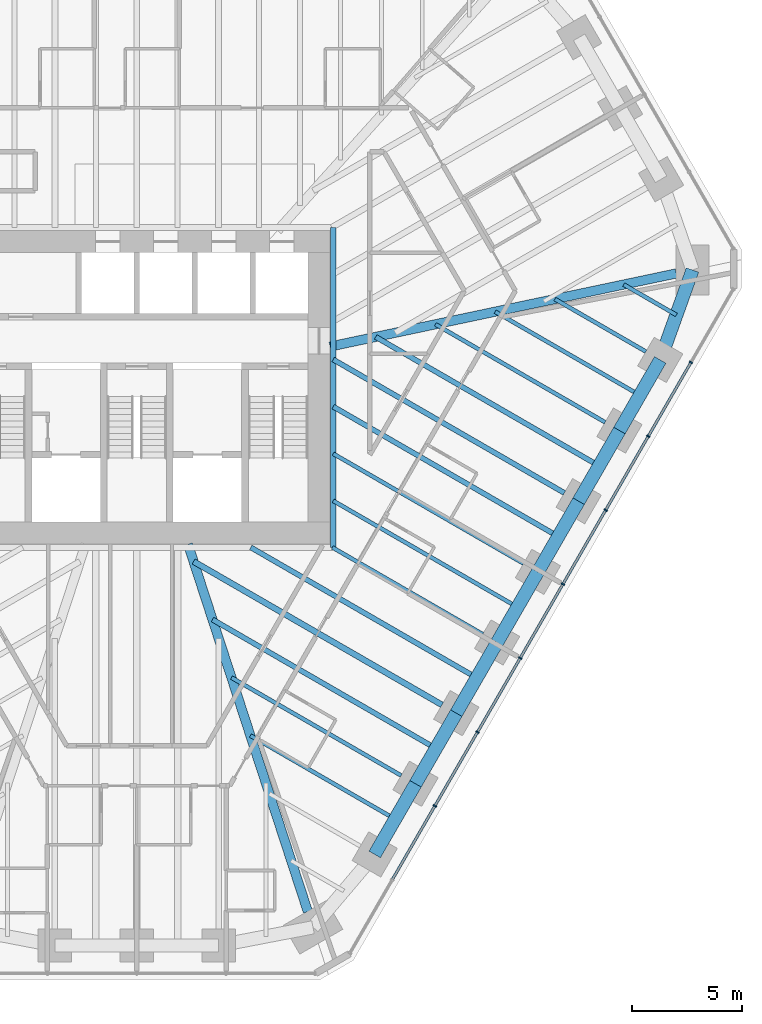
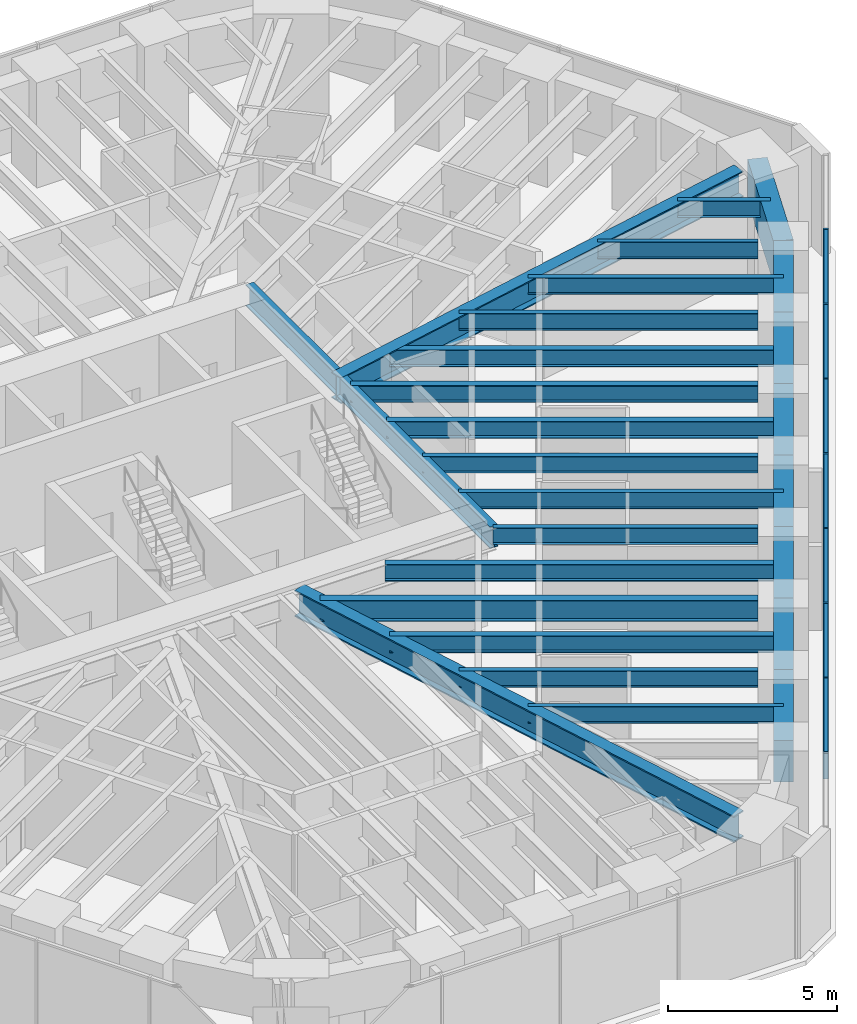
# One storey, part 5 of 16: 26 beams, 14 members, 1 element without a shape of its own.
"""IFC4 building model written with IfcOpenShell, lengths in metres."""

import ifcopenshell
import ifcopenshell.guid

model = None  # the IFC model being written
_history = None  # IfcOwnerHistory: only IFC2X3 demands one
_inside = {}  # id of a spatial element -> (the spatial element, [elements in it])
_under = {}  # id of a project, library or spatial element -> (it, [spatial elements below it])
_declared = {}  # id of a project -> (the project, [libraries it declares])
_typed = {}  # id of a type object -> (the type object, [elements of that type])
_made_of = {}  # id of a material, layer set ... -> (it, [elements and type objects made of it])


def new_model(schema):
    """Start an empty IFC model of exactly this schema.

    Asked for "IFC4X3", IfcOpenShell would pick the latest addendum, in which some entities
    have other attributes; the version numbers below select the first issue.
    IFC2X3 requires an IfcOwnerHistory on every rooted entity: one is made here for all.
    """
    global model, _history
    if schema == "IFC4X3":
        model = ifcopenshell.file(schema_version=(4, 3, 0, 0))
    else:
        model = ifcopenshell.file(schema=schema)
    _inside.clear()
    _under.clear()
    _declared.clear()
    _typed.clear()
    _made_of.clear()
    _history = None
    if model.schema == "IFC2X3":
        org = make("IfcOrganization", Name="unknown")
        user = make(
            "IfcPersonAndOrganization",
            ThePerson=make("IfcPerson", FamilyName="unknown"),
            TheOrganization=org,
        )
        app = make(
            "IfcApplication",
            ApplicationDeveloper=org,
            Version="unknown",
            ApplicationFullName="unknown",
            ApplicationIdentifier="unknown",
        )
        _history = make(
            "IfcOwnerHistory",
            OwningUser=user,
            OwningApplication=app,
            ChangeAction="ADDED",
            CreationDate=0,
        )
    return model


def make(cls, **values):
    """One entity of the class cls with the attributes given. An attribute that is None is left unset."""
    return model.create_entity(
        cls, **{name: value for name, value in values.items() if value is not None}
    )


def rooted(cls, **values):
    """An entity with a GlobalId (a new one), such as an element, a storey or a relation."""
    return make(cls, GlobalId=ifcopenshell.guid.new(), OwnerHistory=_history, **values)


def si_unit(unit_type, name, prefix=None):
    """IfcSIUnit, for example si_unit("LENGTHUNIT", "METRE", prefix="MILLI")."""
    return make("IfcSIUnit", UnitType=unit_type, Prefix=prefix, Name=name)


def assignment(units):
    """IfcUnitAssignment: the units of a project."""
    return None if units is None else make("IfcUnitAssignment", Units=units)


def point(xyz):
    """IfcCartesianPoint."""
    return None if xyz is None else make("IfcCartesianPoint", Coordinates=xyz)


def direction(xyz):
    """IfcDirection."""
    return None if xyz is None else make("IfcDirection", DirectionRatios=xyz)


def frame(location, z_axis=None, x_axis=None):
    """IfcAxis2Placement3D, a coordinate frame: its origin and axes. An axis left out is left unset."""
    return make(
        "IfcAxis2Placement3D",
        Location=point(location),
        Axis=direction(z_axis),
        RefDirection=direction(x_axis),
    )


def frame_2d(location, x_axis=None):
    """IfcAxis2Placement2D, a coordinate frame in the plane: its origin and x axis."""
    return make(
        "IfcAxis2Placement2D", Location=point(location), RefDirection=direction(x_axis)
    )


def origin():
    """The frame at (0, 0, 0) with its axes left unset."""
    return frame((0.0, 0.0, 0.0))


def origin_2d():
    """The frame at (0, 0) in the plane with its x axis left unset."""
    return frame_2d((0.0, 0.0))


def place(relative_to, where):
    """IfcLocalPlacement: puts the frame where relative to a parent placement (None: the world)."""
    return make(
        "IfcLocalPlacement", PlacementRelTo=relative_to, RelativePlacement=where
    )


def context(
    kind, dimensions, precision=None, world=None, true_north=None, identifier=None
):
    """IfcGeometricRepresentationContext, for example the 3D "Model" context."""
    return make(
        "IfcGeometricRepresentationContext",
        ContextIdentifier=identifier,
        ContextType=kind,
        CoordinateSpaceDimension=dimensions,
        Precision=precision,
        WorldCoordinateSystem=world,
        TrueNorth=true_north,
    )


def subcontext(parent, identifier, kind, view, scale=None):
    """IfcGeometricRepresentationSubContext, for example "Body" below "Model"."""
    return make(
        "IfcGeometricRepresentationSubContext",
        ContextIdentifier=identifier,
        ContextType=kind,
        ParentContext=parent,
        TargetScale=scale,
        TargetView=view,
    )


def project(units=None, contexts=None):
    """IfcProject with its units and contexts."""
    return rooted(
        "IfcProject",
        Name="project",
        RepresentationContexts=contexts,
        UnitsInContext=assignment(units),
    )


def spatial(cls, under=None, at=None, **own):
    """A site, building, storey or space (cls), placed at a placement, below another one or the project."""
    s = rooted(cls, ObjectPlacement=at, **own)
    if under is not None:
        _under.setdefault(under.id(), (under, []))[1].append(s)
    return s


def profile(cls, at=None, kind="AREA", **sizes):
    """A parametric profile (cls). Its sizes go by their IFC names, for example OverallWidth=200.0."""
    return make(cls, ProfileType=kind, Position=at, **sizes)


def rectangle(**sizes):
    """IfcRectangleProfileDef."""
    return profile("IfcRectangleProfileDef", **sizes)


def i_section(**sizes):
    """IfcIShapeProfileDef."""
    return profile("IfcIShapeProfileDef", **sizes)


def extrude(swept, where, along, depth):
    """IfcExtrudedAreaSolid: the profile swept, set in the frame where, extruded along a direction by depth."""
    return make(
        "IfcExtrudedAreaSolid",
        SweptArea=swept,
        Position=where,
        ExtrudedDirection=direction(along),
        Depth=depth,
    )


def shape(context_of_items, identifier, shape_type, items):
    """IfcShapeRepresentation: the items that make up one representation, for example the "Body"."""
    return make(
        "IfcShapeRepresentation",
        ContextOfItems=context_of_items,
        RepresentationIdentifier=identifier,
        RepresentationType=shape_type,
        Items=items,
    )


def material(Name=None, Category=None):
    """IfcMaterial."""
    return make("IfcMaterial", Name=Name, Category=Category)


def material_profile(
    of_material, cross_section, Name=None, Category=None, Priority=None
):
    """IfcMaterialProfile: a cross section and its material."""
    return make(
        "IfcMaterialProfile",
        Name=Name,
        Material=of_material,
        Profile=cross_section,
        Priority=Priority,
        Category=Category,
    )


def profile_set(profiles, Name=None, composite=None):
    """IfcMaterialProfileSet."""
    return make(
        "IfcMaterialProfileSet",
        Name=Name,
        MaterialProfiles=profiles,
        CompositeProfile=composite,
    )


def made_of(thing, what):
    """Note that an element or type object is made of a material, layer set ...; save() writes the relation."""
    if what is not None:
        _made_of.setdefault(what.id(), (what, []))[1].append(thing)
    return thing


def type_object(cls, material=None, **own):
    """A type object (cls), such as IfcWallType, which elements share."""
    return made_of(rooted(cls, **own), material)


def element(
    cls,
    number,
    at=None,
    inside=None,
    cuts=None,
    type_object=None,
    material=None,
    context=None,
    identifier="Body",
    shape_type=None,
    held_by="IfcProductDefinitionShape",
    body=None,
    shapes=None,
    **own,
):
    """One element of the class cls, such as IfcWall. Its Tag is "e" and its number.

    at: its placement. inside: the storey or other place that contains it. cuts: it is an
    opening in that element (IfcRelVoidsElement). A single representation is given by context,
    identifier, shape_type and body (its items); several are given by shapes. held_by: the class
    of the entity that holds the representations. save() writes the other relations.
    """
    e = rooted(cls, Tag="e%d" % number, ObjectPlacement=at, **own)
    if body is not None:
        shapes = [shape(context, identifier, shape_type, body)]
    if shapes is not None:
        e.Representation = make(held_by, Representations=shapes)
    if inside is not None:
        _inside.setdefault(inside.id(), (inside, []))[1].append(e)
    if cuts is not None:
        rooted(
            "IfcRelVoidsElement", RelatingBuildingElement=cuts, RelatedOpeningElement=e
        )
    if type_object is not None:
        _typed.setdefault(type_object.id(), (type_object, []))[1].append(e)
    return made_of(e, material)


def aggregate(whole, parts):
    """IfcRelAggregates: a whole, such as a stair, and the parts it consists of."""
    return rooted("IfcRelAggregates", RelatingObject=whole, RelatedObjects=parts)


def save(model, path):
    """Write the relations noted so far, then the file.

    IfcRelAggregates (storeys below a building ...), IfcRelContainedInSpatialStructure (elements
    in a storey), IfcRelDefinesByType, IfcRelAssociatesMaterial and IfcRelDeclares: one each for
    every whole, place, type object, material and project.
    """
    for whole, parts in _under.values():
        aggregate(whole, parts)
    for where, things in _inside.values():
        rooted(
            "IfcRelContainedInSpatialStructure",
            RelatedElements=things,
            RelatingStructure=where,
        )
    for kind, things in _typed.values():
        rooted("IfcRelDefinesByType", RelatedObjects=things, RelatingType=kind)
    for what, things in _made_of.values():
        rooted("IfcRelAssociatesMaterial", RelatedObjects=things, RelatingMaterial=what)
    for by, libraries in _declared.values():
        rooted("IfcRelDeclares", RelatingContext=by, RelatedDefinitions=libraries)
    model.write(path)


model = new_model("IFC4")

# Units and contexts
model_context = context("Model", 3, precision=1e-05, world=origin(), true_north=direction((0.0, 1.0)))
body_context = subcontext(model_context, "Body", "Model", "MODEL_VIEW")
ifc_project = project(units=[si_unit("LENGTHUNIT", "METRE"), si_unit("AREAUNIT", "SQUARE_METRE"), si_unit("VOLUMEUNIT", "CUBIC_METRE"), si_unit("PLANEANGLEUNIT", "RADIAN"), si_unit("MASSUNIT", "GRAM", prefix="KILO")], contexts=[model_context])

# Site, building, storey
site_placement = place(None, origin())
site = spatial("IfcSite", under=ifc_project, at=site_placement, CompositionType="ELEMENT")
building_placement = place(site_placement, origin())
building = spatial("IfcBuilding", under=site, at=building_placement, Name="Sandreach Pilgrim Tower", CompositionType="ELEMENT")
storey_placement = place(building_placement, frame((0.0, 0.0, 187.0)))
storey = spatial("IfcBuildingStorey", under=building, at=storey_placement, Name="L46", CompositionType="ELEMENT", Elevation=187.0)

# Curtain wall, members
ifc_material_1 = material(Name="Aluminium framed curtain wall", Category="aluminium")
curtain_wall_type = type_object("IfcCurtainWallType", Name="Upper hotel tower curtain wall", PredefinedType="NOTDEFINED", material=ifc_material_1)
curtain_wall_placement = place(storey_placement, origin())
curtain_wall = element("IfcCurtainWall", 1, at=curtain_wall_placement, inside=storey, type_object=curtain_wall_type, Name="CW-3 L46 SE", PredefinedType="NOTDEFINED")
ifc_material_2 = material(Name="Aluminium extrusion", Category="aluminium")
ifc_material_profile_1 = material_profile(ifc_material_2, rectangle(XDim=0.06494140625, YDim=0.159912109375, at=origin_2d()), Name="CW-3M 65X160")
ifc_profile_set_1 = profile_set([ifc_material_profile_1], Name="Aluminium extrusion")
member_type_1 = type_object("IfcMemberType", Name="CW-3 mullion", PredefinedType="MULLION", material=ifc_profile_set_1)
member_1_placement = place(storey_placement, frame((25.087890625, 1.13330078125, 0.0), z_axis=(0.0, 0.0, 1.0), x_axis=(-0.5, -0.866025403784, 0.0)))
member_1 = element("IfcMember", 2, at=member_1_placement, type_object=member_type_1, Name="CW-3 mullion 2", PredefinedType="MULLION", context=body_context, shape_type="SweptSolid", body=[
    extrude(rectangle(XDim=0.06494140625, YDim=0.159912109375, at=origin_2d()), origin(), (0.0, 0.0, 1.0), 3.639892578125),
])
member_2_placement = place(storey_placement, frame((23.15576171875, -2.21337890625, 0.0), z_axis=(0.0, 0.0, 1.0), x_axis=(-0.5, -0.866025403784, 0.0)))
member_2 = element("IfcMember", 3, at=member_2_placement, type_object=member_type_1, Name="CW-3 mullion 3", PredefinedType="MULLION", context=body_context, shape_type="SweptSolid", body=[
    extrude(rectangle(XDim=0.06494140625, YDim=0.159912109375, at=origin_2d()), origin(), (0.0, 0.0, 1.0), 3.639892578125),
])
member_3_placement = place(storey_placement, frame((21.223388671875, -5.56005859375, 0.0), z_axis=(0.0, 0.0, 1.0), x_axis=(-0.5, -0.866025403784, 0.0)))
member_3 = element("IfcMember", 4, at=member_3_placement, type_object=member_type_1, Name="CW-3 mullion 4", PredefinedType="MULLION", context=body_context, shape_type="SweptSolid", body=[
    extrude(rectangle(XDim=0.06494140625, YDim=0.159912109375, at=origin_2d()), origin(), (0.0, 0.0, 1.0), 3.639892578125),
])
member_4_placement = place(storey_placement, frame((19.291259765625, -8.90673828125, 0.0), z_axis=(0.0, 0.0, 1.0), x_axis=(-0.5, -0.866025403784, 0.0)))
member_4 = element("IfcMember", 5, at=member_4_placement, type_object=member_type_1, Name="CW-3 mullion 5", PredefinedType="MULLION", context=body_context, shape_type="SweptSolid", body=[
    extrude(rectangle(XDim=0.06494140625, YDim=0.159912109375, at=origin_2d()), origin(), (0.0, 0.0, 1.0), 3.639892578125),
])
member_5_placement = place(storey_placement, frame((17.359130859375, -12.25341796875, 0.0), z_axis=(0.0, 0.0, 1.0), x_axis=(-0.5, -0.866025403784, 0.0)))
member_5 = element("IfcMember", 6, at=member_5_placement, type_object=member_type_1, Name="CW-3 mullion 6", PredefinedType="MULLION", context=body_context, shape_type="SweptSolid", body=[
    extrude(rectangle(XDim=0.06494140625, YDim=0.159912109375, at=origin_2d()), origin(), (0.0, 0.0, 1.0), 3.639892578125),
])
member_6_placement = place(storey_placement, frame((15.4267578125, -15.60009765625, 0.0), z_axis=(0.0, 0.0, 1.0), x_axis=(-0.5, -0.866025403784, 0.0)))
member_6 = element("IfcMember", 7, at=member_6_placement, type_object=member_type_1, Name="CW-3 mullion 7", PredefinedType="MULLION", context=body_context, shape_type="SweptSolid", body=[
    extrude(rectangle(XDim=0.06494140625, YDim=0.159912109375, at=origin_2d()), origin(), (0.0, 0.0, 1.0), 3.639892578125),
])
member_7_placement = place(storey_placement, frame((13.49462890625, -18.94677734375, 0.0), z_axis=(0.0, 0.0, 1.0), x_axis=(-0.5, -0.866025403784, 0.0)))
member_7 = element("IfcMember", 8, at=member_7_placement, type_object=member_type_1, Name="CW-3 mullion 8", PredefinedType="MULLION", context=body_context, shape_type="SweptSolid", body=[
    extrude(rectangle(XDim=0.06494140625, YDim=0.159912109375, at=origin_2d()), origin(), (0.0, 0.0, 1.0), 3.639892578125),
])
ifc_material_3 = material(Name="Aluminium extrusion", Category="aluminium")
ifc_material_profile_2 = material_profile(ifc_material_3, rectangle(XDim=0.1201171875, YDim=0.070068359375, at=origin_2d()), Name="CW-3T 120X70")
ifc_profile_set_2 = profile_set([ifc_material_profile_2], Name="Aluminium extrusion")
member_type_2 = type_object("IfcMemberType", Name="CW-3 transom", PredefinedType="USERDEFINED", material=ifc_profile_set_2)
member_8_placement = place(storey_placement, frame((25.07177734375, 1.105224609375, 3.60498046875), z_axis=(-0.500022797313, -0.86601224135, 0.0), x_axis=(0.86601224135, -0.500022797313, 0.0)))
member_8 = element("IfcMember", 9, at=member_8_placement, type_object=member_type_2, Name="CW-3 head transom 2", ObjectType="TRANSOM", PredefinedType="USERDEFINED", context=body_context, shape_type="SweptSolid", body=[
    extrude(rectangle(XDim=0.1201171875, YDim=0.070068359375, at=origin_2d()), origin(), (0.0, 0.0, 1.0), 3.799560546875),
])
member_9_placement = place(storey_placement, frame((23.139404296875, -2.241455078125, 3.60498046875), z_axis=(-0.499974606132, -0.866040064445, 0.0), x_axis=(0.866040064445, -0.499974606132, 0.0)))
member_9 = element("IfcMember", 10, at=member_9_placement, type_object=member_type_2, Name="CW-3 head transom 3", ObjectType="TRANSOM", PredefinedType="USERDEFINED", context=body_context, shape_type="SweptSolid", body=[
    extrude(rectangle(XDim=0.1201171875, YDim=0.070068359375, at=origin_2d()), origin(), (0.0, 0.0, 1.0), 3.799560546875),
])
member_10_placement = place(storey_placement, frame((21.207275390625, -5.588134765625, 3.60498046875), z_axis=(-0.499974606132, -0.866040064445, 0.0), x_axis=(0.866040064445, -0.499974606132, 0.0)))
member_10 = element("IfcMember", 11, at=member_10_placement, type_object=member_type_2, Name="CW-3 head transom 4", ObjectType="TRANSOM", PredefinedType="USERDEFINED", context=body_context, shape_type="SweptSolid", body=[
    extrude(rectangle(XDim=0.1201171875, YDim=0.070068359375, at=origin_2d()), origin(), (0.0, 0.0, 1.0), 3.799560546875),
])
member_11_placement = place(storey_placement, frame((19.275146484375, -8.934814453125, 3.60498046875), z_axis=(-0.500022797313, -0.86601224135, 0.0), x_axis=(0.86601224135, -0.500022797313, 0.0)))
member_11 = element("IfcMember", 12, at=member_11_placement, type_object=member_type_2, Name="CW-3 head transom 5", ObjectType="TRANSOM", PredefinedType="USERDEFINED", context=body_context, shape_type="SweptSolid", body=[
    extrude(rectangle(XDim=0.1201171875, YDim=0.070068359375, at=origin_2d()), origin(), (0.0, 0.0, 1.0), 3.799560546875),
])
member_12_placement = place(storey_placement, frame((17.3427734375, -12.281494140625, 3.60498046875), z_axis=(-0.499974606132, -0.866040064445, 0.0), x_axis=(0.866040064445, -0.499974606132, 0.0)))
member_12 = element("IfcMember", 13, at=member_12_placement, type_object=member_type_2, Name="CW-3 head transom 6", ObjectType="TRANSOM", PredefinedType="USERDEFINED", context=body_context, shape_type="SweptSolid", body=[
    extrude(rectangle(XDim=0.1201171875, YDim=0.070068359375, at=origin_2d()), origin(), (0.0, 0.0, 1.0), 3.799560546875),
])
member_13_placement = place(storey_placement, frame((15.41064453125, -15.628173828125, 3.60498046875), z_axis=(-0.499974606132, -0.866040064445, 0.0), x_axis=(0.866040064445, -0.499974606132, 0.0)))
member_13 = element("IfcMember", 14, at=member_13_placement, type_object=member_type_2, Name="CW-3 head transom 7", ObjectType="TRANSOM", PredefinedType="USERDEFINED", context=body_context, shape_type="SweptSolid", body=[
    extrude(rectangle(XDim=0.1201171875, YDim=0.070068359375, at=origin_2d()), origin(), (0.0, 0.0, 1.0), 3.799560546875),
])
member_14_placement = place(storey_placement, frame((13.478515625, -18.974853515625, 3.60498046875), z_axis=(-0.500022797313, -0.86601224135, 0.0), x_axis=(0.86601224135, -0.500022797313, 0.0)))
member_14 = element("IfcMember", 15, at=member_14_placement, type_object=member_type_2, Name="CW-3 head transom 8", ObjectType="TRANSOM", PredefinedType="USERDEFINED", context=body_context, shape_type="SweptSolid", body=[
    extrude(rectangle(XDim=0.1201171875, YDim=0.070068359375, at=origin_2d()), origin(), (0.0, 0.0, 1.0), 3.799560546875),
])
aggregate(curtain_wall, [member_1, member_2, member_3, member_4, member_5, member_6, member_7, member_8, member_9, member_10, member_11, member_12, member_13, member_14])

# Beams
ifc_material_4 = material(Name="Steel ASTM A992 Grade 50", Category="steel")
ifc_material_profile_3 = material_profile(ifc_material_4, i_section(OverallWidth=0.2666015625, OverallDepth=0.77978515625, WebThickness=0.0166015625, FlangeThickness=0.030029296875, at=origin_2d()), Name="W30X148")
ifc_profile_set_3 = profile_set([ifc_material_profile_3], Name="Steel ASTM A992 Grade 50")
beam_type_1 = type_object("IfcBeamType", Name="Core edge beam W30X148", PredefinedType="BEAM", material=ifc_profile_set_3)
beam_1_placement = place(storey_placement, frame((8.893310546875, 7.243408203125, 3.25), z_axis=(0.0, -1.0, 0.0), x_axis=(1.0, 0.0, 0.0)))
element("IfcBeam", 16, at=beam_1_placement, inside=storey, type_object=beam_type_1, Name="BM L46 CEE", PredefinedType="BEAM", context=body_context, shape_type="SweptSolid", body=[
    extrude(i_section(OverallWidth=0.2666015625, OverallDepth=0.77978515625, WebThickness=0.0166015625, FlangeThickness=0.030029296875, at=origin_2d()), origin(), (0.0, 0.0, 1.0), 14.48681640625),
])
ifc_material_5 = material(Name="Steel ASTM A992 Grade 50", Category="steel")
ifc_material_profile_4 = material_profile(ifc_material_5, i_section(OverallWidth=0.421630859375, OverallDepth=0.937255859375, WebThickness=0.0224609375, FlangeThickness=0.039794921875, at=origin_2d()), Name="W36X282")
ifc_profile_set_4 = profile_set([ifc_material_profile_4], Name="Steel ASTM A992 Grade 50")
beam_type_2 = type_object("IfcBeamType", Name="Corner girder W36X282", PredefinedType="BEAM", material=ifc_profile_set_4)
beam_2_placement = place(storey_placement, frame((24.422607421875, 5.156494140625, 3.17138671875), z_axis=(-0.978428978804, -0.206583478132, 0.0), x_axis=(0.206583478132, -0.978428978804, 0.0)))
element("IfcBeam", 17, at=beam_2_placement, inside=storey, type_object=beam_type_2, Name="BM L46 CG13", PredefinedType="BEAM", context=body_context, shape_type="SweptSolid", body=[
    extrude(i_section(OverallWidth=0.421630859375, OverallDepth=0.937255859375, WebThickness=0.0224609375, FlangeThickness=0.039794921875, at=origin_2d()), origin(), (0.0, 0.0, 1.0), 16.01806640625),
])
ifc_material_6 = material(Name="Steel ASTM A992 Grade 50", Category="steel")
ifc_material_profile_5 = material_profile(ifc_material_6, i_section(OverallWidth=0.421630859375, OverallDepth=0.95751953125, WebThickness=0.02587890625, FlangeThickness=0.046875, at=origin_2d()), Name="W36X330")
ifc_profile_set_5 = profile_set([ifc_material_profile_5], Name="Steel ASTM A992 Grade 50")
beam_type_3 = type_object("IfcBeamType", Name="Corner girder W36X330", PredefinedType="BEAM", material=ifc_profile_set_5)
beam_3_placement = place(storey_placement, frame((7.745849609375, -23.72900390625, 3.1611328125), z_axis=(-0.310317870968, 0.950632851819, 0.0), x_axis=(-0.950632851819, -0.310317870968, 0.0)))
element("IfcBeam", 18, at=beam_3_placement, inside=storey, type_object=beam_type_3, Name="BM L46 CG22", PredefinedType="BEAM", context=body_context, shape_type="SweptSolid", body=[
    extrude(i_section(OverallWidth=0.421630859375, OverallDepth=0.95751953125, WebThickness=0.02587890625, FlangeThickness=0.046875, at=origin_2d()), origin(), (0.0, 0.0, 1.0), 17.492431640625),
])
ifc_material_7 = material(Name="Steel ASTM A992 Grade 50", Category="steel")
ifc_material_profile_6 = material_profile(ifc_material_7, i_section(OverallWidth=0.1787109375, OverallDepth=0.60205078125, WebThickness=0.010986328125, FlangeThickness=0.014892578125, at=origin_2d()), Name="W24X62")
ifc_profile_set_6 = profile_set([ifc_material_profile_6], Name="Steel ASTM A992 Grade 50")
beam_type_4 = type_object("IfcBeamType", Name="Floor beam W24X62", PredefinedType="BEAM", material=ifc_profile_set_6)
beam_4_placement = place(storey_placement, frame((23.04638671875, 1.6171875, 3.339111328125), z_axis=(-0.86603347311, 0.499986023258, 0.0), x_axis=(-0.499986023258, -0.86603347311, 0.0)))
element("IfcBeam", 19, at=beam_4_placement, inside=storey, type_object=beam_type_4, Name="BM L46 F14", PredefinedType="BEAM", context=body_context, shape_type="SweptSolid", body=[
    extrude(i_section(OverallWidth=0.1787109375, OverallDepth=0.60205078125, WebThickness=0.010986328125, FlangeThickness=0.014892578125, at=origin_2d()), origin(), (0.0, 0.0, 1.0), 4.757568359375),
])
beam_5_placement = place(storey_placement, frame((21.2001953125, -1.58056640625, 3.339111328125), z_axis=(-0.866027448082, 0.499996459156, 0.0), x_axis=(-0.499996459156, -0.866027448082, 0.0)))
element("IfcBeam", 20, at=beam_5_placement, inside=storey, type_object=beam_type_4, Name="BM L46 F15", PredefinedType="BEAM", context=body_context, shape_type="SweptSolid", body=[
    extrude(i_section(OverallWidth=0.1787109375, OverallDepth=0.60205078125, WebThickness=0.010986328125, FlangeThickness=0.014892578125, at=origin_2d()), origin(), (0.0, 0.0, 1.0), 8.86962890625),
])
beam_6_placement = place(storey_placement, frame((17.507568359375, -7.97607421875, 3.339111328125), z_axis=(-0.866027815265, 0.499995823171, 0.0), x_axis=(-0.499995823171, -0.866027815265, 0.0)))
element("IfcBeam", 21, at=beam_6_placement, inside=storey, type_object=beam_type_4, Name="BM L46 F17", PredefinedType="BEAM", context=body_context, shape_type="SweptSolid", body=[
    extrude(i_section(OverallWidth=0.1787109375, OverallDepth=0.60205078125, WebThickness=0.010986328125, FlangeThickness=0.014892578125, at=origin_2d()), origin(), (0.0, 0.0, 1.0), 9.94677734375),
])
beam_7_placement = place(storey_placement, frame((15.661376953125, -11.173828125, 3.339111328125), z_axis=(-0.866038711524, 0.49997694961, 0.0), x_axis=(-0.49997694961, -0.866038711524, 0.0)))
element("IfcBeam", 22, at=beam_7_placement, inside=storey, type_object=beam_type_4, Name="BM L46 F18", PredefinedType="BEAM", context=body_context, shape_type="SweptSolid", body=[
    extrude(i_section(OverallWidth=0.1787109375, OverallDepth=0.60205078125, WebThickness=0.010986328125, FlangeThickness=0.014892578125, at=origin_2d()), origin(), (0.0, 0.0, 1.0), 7.861083984375),
])
beam_8_placement = place(storey_placement, frame((11.96875, -17.569580078125, 3.339111328125), z_axis=(-0.866020566617, 0.500008378126, 0.0), x_axis=(-0.500008378126, -0.866020566617, 0.0)))
element("IfcBeam", 23, at=beam_8_placement, inside=storey, type_object=beam_type_4, Name="BM L46 F20", PredefinedType="BEAM", context=body_context, shape_type="SweptSolid", body=[
    extrude(i_section(OverallWidth=0.1787109375, OverallDepth=0.60205078125, WebThickness=0.010986328125, FlangeThickness=0.014892578125, at=origin_2d()), origin(), (0.0, 0.0, 1.0), 8.869384765625),
])
beam_9_placement = place(storey_placement, frame((24.42626953125, 3.27685546875, 3.339111328125), z_axis=(-0.866046803606, 0.49996293259, 0.0), x_axis=(-0.49996293259, -0.866046803606, 0.0)))
element("IfcBeam", 24, at=beam_9_placement, inside=storey, type_object=beam_type_4, Name="BM L46 FM13", PredefinedType="BEAM", context=body_context, shape_type="SweptSolid", body=[
    extrude(i_section(OverallWidth=0.1787109375, OverallDepth=0.60205078125, WebThickness=0.010986328125, FlangeThickness=0.014892578125, at=origin_2d()), origin(), (0.0, 0.0, 1.0), 2.753662109375),
])
beam_10_placement = place(storey_placement, frame((22.772705078125, -0.356689453125, 3.339111328125), z_axis=(-0.866029704776, 0.49999255039, 0.0), x_axis=(-0.49999255039, -0.866029704776, 0.0)))
element("IfcBeam", 25, at=beam_10_placement, inside=storey, type_object=beam_type_4, Name="BM L46 FM14", PredefinedType="BEAM", context=body_context, shape_type="SweptSolid", body=[
    extrude(i_section(OverallWidth=0.1787109375, OverallDepth=0.60205078125, WebThickness=0.010986328125, FlangeThickness=0.014892578125, at=origin_2d()), origin(), (0.0, 0.0, 1.0), 7.5634765625),
])
beam_11_placement = place(storey_placement, frame((17.23388671875, -9.949951171875, 3.339111328125), z_axis=(-0.866025593094, 0.499999672107, 0.0), x_axis=(-0.499999672107, -0.866025593094, 0.0)))
element("IfcBeam", 26, at=beam_11_placement, inside=storey, type_object=beam_type_4, Name="BM L46 FM17", PredefinedType="BEAM", context=body_context, shape_type="SweptSolid", body=[
    extrude(i_section(OverallWidth=0.1787109375, OverallDepth=0.60205078125, WebThickness=0.010986328125, FlangeThickness=0.014892578125, at=origin_2d()), origin(), (0.0, 0.0, 1.0), 9.630859375),
])
beam_12_placement = place(storey_placement, frame((11.6953125, -19.54345703125, 3.339111328125), z_axis=(-0.866029704776, 0.49999255039, 0.0), x_axis=(-0.49999255039, -0.866029704776, 0.0)))
element("IfcBeam", 27, at=beam_12_placement, inside=storey, type_object=beam_type_4, Name="BM L46 FM20", PredefinedType="BEAM", context=body_context, shape_type="SweptSolid", body=[
    extrude(i_section(OverallWidth=0.1787109375, OverallDepth=0.60205078125, WebThickness=0.010986328125, FlangeThickness=0.014892578125, at=origin_2d()), origin(), (0.0, 0.0, 1.0), 7.5634765625),
])
ifc_material_8 = material(Name="Steel ASTM A992 Grade 50", Category="steel")
ifc_material_profile_7 = material_profile(ifc_material_8, i_section(OverallWidth=0.23046875, OverallDepth=0.6171875, WebThickness=0.01318359375, FlangeThickness=0.022216796875, at=origin_2d()), Name="W24X94")
ifc_profile_set_7 = profile_set([ifc_material_profile_7], Name="Steel ASTM A992 Grade 50")
beam_type_5 = type_object("IfcBeamType", Name="Floor beam W24X94", PredefinedType="BEAM", material=ifc_profile_set_7)
beam_13_placement = place(storey_placement, frame((19.353759765625, -4.7783203125, 3.331298828125), z_axis=(-0.866026713419, 0.49999773164, 0.0), x_axis=(-0.49999773164, -0.866026713419, 0.0)))
element("IfcBeam", 28, at=beam_13_placement, inside=storey, type_object=beam_type_5, Name="BM L46 F16", PredefinedType="BEAM", context=body_context, shape_type="SweptSolid", body=[
    extrude(i_section(OverallWidth=0.23046875, OverallDepth=0.6171875, WebThickness=0.01318359375, FlangeThickness=0.022216796875, at=origin_2d()), origin(), (0.0, 0.0, 1.0), 12.07861328125),
])
beam_14_placement = place(storey_placement, frame((20.926513671875, -3.554443359375, 3.331298828125), z_axis=(-0.866026454974, 0.499998179282, 0.0), x_axis=(-0.499998179282, -0.866026454974, 0.0)))
element("IfcBeam", 29, at=beam_14_placement, inside=storey, type_object=beam_type_5, Name="BM L46 FM15", PredefinedType="BEAM", context=body_context, shape_type="SweptSolid", body=[
    extrude(i_section(OverallWidth=0.23046875, OverallDepth=0.6171875, WebThickness=0.01318359375, FlangeThickness=0.022216796875, at=origin_2d()), origin(), (0.0, 0.0, 1.0), 11.67578125),
])
beam_15_placement = place(storey_placement, frame((19.080322265625, -6.752197265625, 3.331298828125), z_axis=(-0.866030053141, 0.499991946992, 0.0), x_axis=(-0.499991946992, -0.866030053141, 0.0)))
element("IfcBeam", 30, at=beam_15_placement, inside=storey, type_object=beam_type_5, Name="BM L46 FM16", PredefinedType="BEAM", context=body_context, shape_type="SweptSolid", body=[
    extrude(i_section(OverallWidth=0.23046875, OverallDepth=0.6171875, WebThickness=0.01318359375, FlangeThickness=0.022216796875, at=origin_2d()), origin(), (0.0, 0.0, 1.0), 11.762939453125),
])
beam_16_placement = place(storey_placement, frame((15.3876953125, -13.14794921875, 3.331298828125), z_axis=(-0.866022050506, 0.500005808004, 0.0), x_axis=(-0.500005808004, -0.866022050506, 0.0)))
element("IfcBeam", 31, at=beam_16_placement, inside=storey, type_object=beam_type_5, Name="BM L46 FM18", PredefinedType="BEAM", context=body_context, shape_type="SweptSolid", body=[
    extrude(i_section(OverallWidth=0.23046875, OverallDepth=0.6171875, WebThickness=0.01318359375, FlangeThickness=0.022216796875, at=origin_2d()), origin(), (0.0, 0.0, 1.0), 11.808837890625),
])
beam_17_placement = place(storey_placement, frame((13.54150390625, -16.345703125, 3.331298828125), z_axis=(-0.866026454974, 0.499998179282, 0.0), x_axis=(-0.499998179282, -0.866026454974, 0.0)))
element("IfcBeam", 32, at=beam_17_placement, inside=storey, type_object=beam_type_5, Name="BM L46 FM19", PredefinedType="BEAM", context=body_context, shape_type="SweptSolid", body=[
    extrude(i_section(OverallWidth=0.23046875, OverallDepth=0.6171875, WebThickness=0.01318359375, FlangeThickness=0.022216796875, at=origin_2d()), origin(), (0.0, 0.0, 1.0), 11.67578125),
])
ifc_material_9 = material(Name="Steel ASTM A992 Grade 50", Category="steel")
ifc_material_profile_8 = material_profile(ifc_material_9, i_section(OverallWidth=0.2666015625, OverallDepth=0.761962890625, WebThickness=0.014404296875, FlangeThickness=0.021484375, at=origin_2d()), Name="W30X116")
ifc_profile_set_8 = profile_set([ifc_material_profile_8], Name="Steel ASTM A992 Grade 50")
beam_type_6 = type_object("IfcBeamType", Name="Floor beam W30X116", PredefinedType="BEAM", material=ifc_profile_set_8)
beam_18_placement = place(storey_placement, frame((13.815185546875, -14.371826171875, 3.259033203125), z_axis=(-0.866025240073, 0.500000283557, 0.0), x_axis=(-0.500000283557, -0.866025240073, 0.0)))
element("IfcBeam", 33, at=beam_18_placement, inside=storey, type_object=beam_type_6, Name="BM L46 F19", PredefinedType="BEAM", context=body_context, shape_type="SweptSolid", body=[
    extrude(i_section(OverallWidth=0.2666015625, OverallDepth=0.761962890625, WebThickness=0.014404296875, FlangeThickness=0.021484375, at=origin_2d()), origin(), (0.0, 0.0, 1.0), 12.98193359375),
])
ifc_material_10 = material(Name="Concrete 10000 psi", Category="concrete")
ifc_material_profile_9 = material_profile(ifc_material_10, rectangle(XDim=0.60009765625, YDim=1.5, at=origin_2d()), Name="RC600X1500")
ifc_profile_set_9 = profile_set([ifc_material_profile_9], Name="Concrete 10000 psi")
beam_type_7 = type_object("IfcBeamType", Name="Spandrel beam RC600X1500", PredefinedType="SPANDREL", material=ifc_profile_set_9)
beam_19_placement = place(storey_placement, frame((25.156494140625, 5.311279296875, 2.889892578125), z_axis=(-0.337863470932, -0.941195131208, 0.0), x_axis=(0.941195131208, -0.337863470932, 0.0)))
element("IfcBeam", 34, at=beam_19_placement, inside=storey, type_object=beam_type_7, Name="BM L46 SP13", PredefinedType="SPANDREL", context=body_context, shape_type="SweptSolid", body=[
    extrude(rectangle(XDim=0.60009765625, YDim=1.5, at=origin_2d()), origin(), (0.0, 0.0, 1.0), 4.3232421875),
])
for number, where, z_axis, x_axis, name in (
    (35, (23.69580078125, 1.2421875, 2.889892578125), (-0.499993363642, -0.866029235253, 0.0), (0.866029235253, -0.499993363642, 0.0), "BM L46 SP14"),
    (36, (21.849609375, -1.95556640625, 2.889892578125), (-0.499993363642, -0.866029235253, 0.0), (0.866029235253, -0.499993363642, 0.0), "BM L46 SP15"),
    (37, (20.00341796875, -5.1533203125, 2.889892578125), (-0.499993363642, -0.866029235253, 0.0), (0.866029235253, -0.499993363642, 0.0), "BM L46 SP16"),
):
    element("IfcBeam", number, at=place(storey_placement, frame(where, z_axis=z_axis, x_axis=x_axis)), inside=storey, type_object=beam_type_7, Name=name, PredefinedType="SPANDREL", context=body_context, shape_type="SweptSolid", body=[
        extrude(rectangle(XDim=0.60009765625, YDim=1.5, at=origin_2d()), origin(), (0.0, 0.0, 1.0), 3.6923828125),
    ])
for number, where, z_axis, x_axis, name in (
    (38, (18.1572265625, -8.35107421875, 2.889892578125), (-0.500042951019, -0.866000604582, 0.0), (0.866000604582, -0.500042951019, 0.0), "BM L46 SP17"),
    (39, (16.310791015625, -11.548828125, 2.889892578125), (-0.49996473481, -0.866045763194, 0.0), (0.866045763194, -0.49996473481, 0.0), "BM L46 SP18"),
):
    element("IfcBeam", number, at=place(storey_placement, frame(where, z_axis=z_axis, x_axis=x_axis)), inside=storey, type_object=beam_type_7, Name=name, PredefinedType="SPANDREL", context=body_context, shape_type="SweptSolid", body=[
        extrude(rectangle(XDim=0.60009765625, YDim=1.5, at=origin_2d()), origin(), (0.0, 0.0, 1.0), 3.692626953125),
    ])
for number, where, z_axis, x_axis, name in (
    (40, (14.464599609375, -14.746826171875, 2.889892578125), (-0.499993363642, -0.866029235253, 0.0), (0.866029235253, -0.499993363642, 0.0), "BM L46 SP19"),
    (41, (12.618408203125, -17.944580078125, 2.889892578125), (-0.499993363642, -0.866029235253, 0.0), (0.866029235253, -0.499993363642, 0.0), "BM L46 SP20"),
):
    element("IfcBeam", number, at=place(storey_placement, frame(where, z_axis=z_axis, x_axis=x_axis)), inside=storey, type_object=beam_type_7, Name=name, PredefinedType="SPANDREL", context=body_context, shape_type="SweptSolid", body=[
        extrude(rectangle(XDim=0.60009765625, YDim=1.5, at=origin_2d()), origin(), (0.0, 0.0, 1.0), 3.6923828125),
    ])

save(model, "model.ifc")
